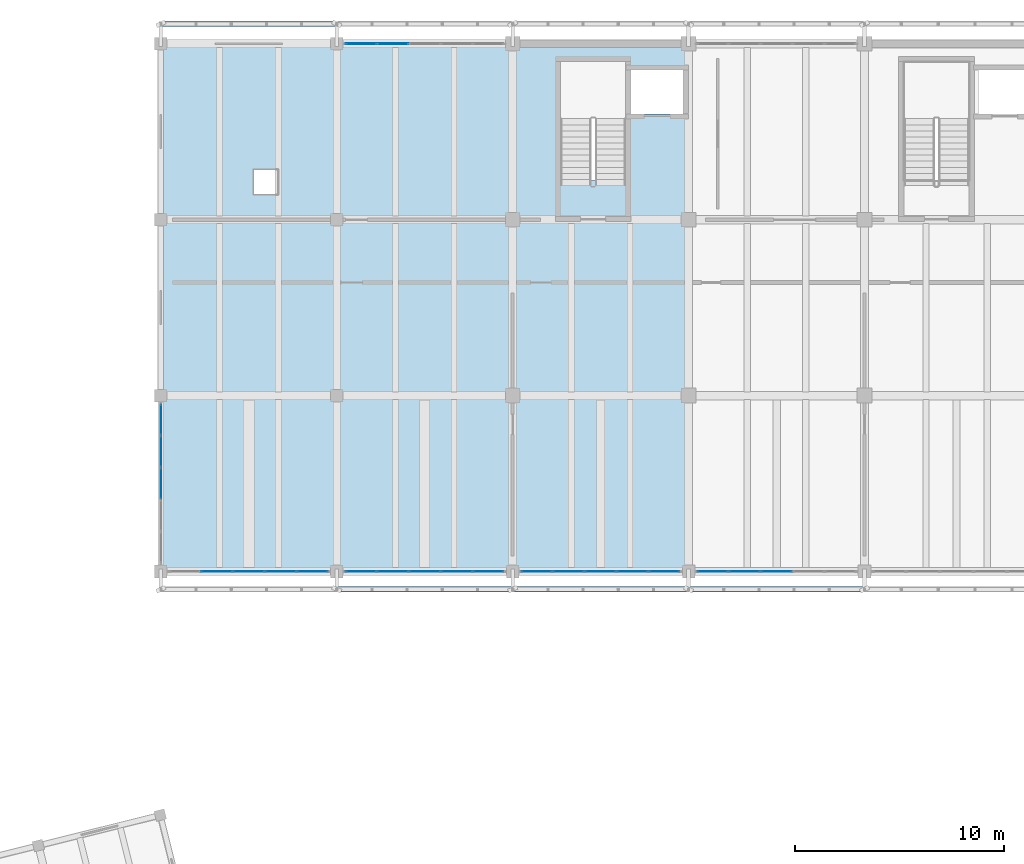
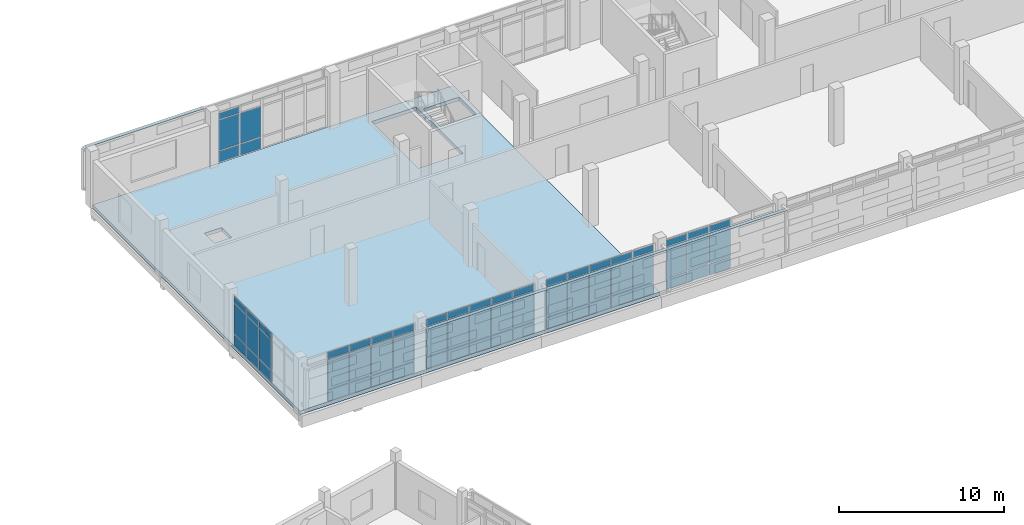
# One storey, part 99 of 137: 69 plates, 1 slab, 6 elements without a shape of their own.
"""IFC4 building model written with IfcOpenShell, lengths in metres."""

from ifc_helpers import new_model, si_unit, direction, frame, origin, origin_2d, place, context, subcontext, project, spatial, polyline, rectangle, outline, extrude, material, layer, layer_set, type_object, element, aggregate, save


model = new_model("IFC4")

# Units and contexts
model_context = context("Model", 3, precision=1e-05, world=origin(), true_north=direction((0.0, 1.0)))
body_context = subcontext(model_context, "Body", "Model", "MODEL_VIEW")
ifc_project = project(units=[si_unit("LENGTHUNIT", "METRE"), si_unit("AREAUNIT", "SQUARE_METRE"), si_unit("VOLUMEUNIT", "CUBIC_METRE"), si_unit("PLANEANGLEUNIT", "RADIAN"), si_unit("MASSUNIT", "GRAM", prefix="KILO")], contexts=[model_context])

# Site, building, storey
site_placement = place(None, origin())
site = spatial("IfcSite", under=ifc_project, at=site_placement, CompositionType="ELEMENT")
building_placement = place(site_placement, origin())
building = spatial("IfcBuilding", under=site, at=building_placement, Name="Cinderway Yard Community Centre", CompositionType="ELEMENT")
storey_placement = place(building_placement, frame((0.0, 0.0, 4.800048828125)))
storey = spatial("IfcBuildingStorey", under=building, at=storey_placement, Name="L01", CompositionType="ELEMENT", Elevation=4.800048828125)

# Curtain wall, plates
ifc_material_1 = material(Name="Aluminium 6063-T6", Category="aluminium")
curtain_wall_type = type_object("IfcCurtainWallType", Name="ENV-CW-TYPE-26", PredefinedType="USERDEFINED", material=ifc_material_1)
curtain_wall_1_placement = place(storey_placement, origin())
curtain_wall_1 = element("IfcCurtainWall", 1, at=curtain_wall_1_placement, inside=storey, type_object=curtain_wall_type, Name="V4 Courtyard Curtain Wall ENV-CW-L01-ST-0122", ObjectType="GLAZED CURTAIN WALL", PredefinedType="USERDEFINED")
ifc_material_2 = material(Name="Laminated Low-E Glass", Category="glass")
ifc_layer_1 = layer(ifc_material_2, 0.028076171875, Name="Laminated Low-E Glass")
ifc_layer_set_1 = layer_set([ifc_layer_1], Name="Laminated Low-E Glass")
plate_type_1 = type_object("IfcPlateType", Name="ENV-CW-PAN-IGU28", PredefinedType="CURTAIN_PANEL", material=ifc_layer_set_1)
plate_1_placement = place(storey_placement, frame((44.27197265625, 90.0, 0.059814453125), z_axis=(0.0, 0.0, 1.0), x_axis=(1.0, 0.0, 0.0)))
plate_1 = element("IfcPlate", 2, at=plate_1_placement, type_object=plate_type_1, Name="CW-26 panel 2.1", PredefinedType="CURTAIN_PANEL", context=body_context, shape_type="SweptSolid", body=[
    extrude(rectangle(XDim=1.468017578125, YDim=0.028076171875, at=origin_2d()), origin(), (0.0, 0.0, 1.0), 0.81005859375),
])
plate_2_placement = place(storey_placement, frame((44.27197265625, 90.0, 0.93017578125), z_axis=(0.0, 0.0, 1.0), x_axis=(1.0, 0.0, 0.0)))
plate_2 = element("IfcPlate", 3, at=plate_2_placement, type_object=plate_type_1, Name="CW-26 panel 2.2", PredefinedType="CURTAIN_PANEL", context=body_context, shape_type="SweptSolid", body=[
    extrude(rectangle(XDim=1.468017578125, YDim=0.028076171875, at=origin_2d()), origin(), (0.0, 0.0, 1.0), 2.239990234375),
])
plate_3_placement = place(storey_placement, frame((44.27197265625, 90.0, 3.22998046875), z_axis=(0.0, 0.0, 1.0), x_axis=(1.0, 0.0, 0.0)))
plate_3 = element("IfcPlate", 4, at=plate_3_placement, type_object=plate_type_1, Name="CW-26 panel 2.3", PredefinedType="CURTAIN_PANEL", context=body_context, shape_type="SweptSolid", body=[
    extrude(rectangle(XDim=1.468017578125, YDim=0.028076171875, at=origin_2d()), origin(), (0.0, 0.0, 1.0), 0.4599609375),
])
plate_4_placement = place(storey_placement, frame((45.800048828125, 90.0, 0.059814453125), z_axis=(0.0, 0.0, 1.0), x_axis=(1.0, 0.0, 0.0)))
plate_4 = element("IfcPlate", 5, at=plate_4_placement, type_object=plate_type_1, Name="CW-26 panel 3.1", PredefinedType="CURTAIN_PANEL", context=body_context, shape_type="SweptSolid", body=[
    extrude(rectangle(XDim=1.468017578125, YDim=0.028076171875, at=origin_2d()), origin(), (0.0, 0.0, 1.0), 0.81005859375),
])
plate_5_placement = place(storey_placement, frame((45.800048828125, 90.0, 0.93017578125), z_axis=(0.0, 0.0, 1.0), x_axis=(1.0, 0.0, 0.0)))
plate_5 = element("IfcPlate", 6, at=plate_5_placement, type_object=plate_type_1, Name="CW-26 panel 3.2", PredefinedType="CURTAIN_PANEL", context=body_context, shape_type="SweptSolid", body=[
    extrude(rectangle(XDim=1.468017578125, YDim=0.028076171875, at=origin_2d()), origin(), (0.0, 0.0, 1.0), 2.239990234375),
])
plate_6_placement = place(storey_placement, frame((45.800048828125, 90.0, 3.22998046875), z_axis=(0.0, 0.0, 1.0), x_axis=(1.0, 0.0, 0.0)))
plate_6 = element("IfcPlate", 7, at=plate_6_placement, type_object=plate_type_1, Name="CW-26 panel 3.3", PredefinedType="CURTAIN_PANEL", context=body_context, shape_type="SweptSolid", body=[
    extrude(rectangle(XDim=1.468017578125, YDim=0.028076171875, at=origin_2d()), origin(), (0.0, 0.0, 1.0), 0.4599609375),
])
plate_7_placement = place(storey_placement, frame((47.327880859375, 90.0, 0.059814453125), z_axis=(0.0, 0.0, 1.0), x_axis=(1.0, 0.0, 0.0)))
plate_7 = element("IfcPlate", 8, at=plate_7_placement, type_object=plate_type_1, Name="CW-26 panel 4.1", PredefinedType="CURTAIN_PANEL", context=body_context, shape_type="SweptSolid", body=[
    extrude(rectangle(XDim=1.468017578125, YDim=0.028076171875, at=origin_2d()), origin(), (0.0, 0.0, 1.0), 0.81005859375),
])
plate_8_placement = place(storey_placement, frame((47.327880859375, 90.0, 0.93017578125), z_axis=(0.0, 0.0, 1.0), x_axis=(1.0, 0.0, 0.0)))
plate_8 = element("IfcPlate", 9, at=plate_8_placement, type_object=plate_type_1, Name="CW-26 panel 4.2", PredefinedType="CURTAIN_PANEL", context=body_context, shape_type="SweptSolid", body=[
    extrude(rectangle(XDim=1.468017578125, YDim=0.028076171875, at=origin_2d()), origin(), (0.0, 0.0, 1.0), 2.239990234375),
])
plate_9_placement = place(storey_placement, frame((47.327880859375, 90.0, 3.22998046875), z_axis=(0.0, 0.0, 1.0), x_axis=(1.0, 0.0, 0.0)))
plate_9 = element("IfcPlate", 10, at=plate_9_placement, type_object=plate_type_1, Name="CW-26 panel 4.3", PredefinedType="CURTAIN_PANEL", context=body_context, shape_type="SweptSolid", body=[
    extrude(rectangle(XDim=1.468017578125, YDim=0.028076171875, at=origin_2d()), origin(), (0.0, 0.0, 1.0), 0.4599609375),
])
plate_10_placement = place(storey_placement, frame((48.841064453125, 90.0, 0.059814453125), z_axis=(0.0, 0.0, 1.0), x_axis=(1.0, 0.0, 0.0)))
plate_10 = element("IfcPlate", 11, at=plate_10_placement, type_object=plate_type_1, Name="CW-26 panel 5.1", PredefinedType="CURTAIN_PANEL", context=body_context, shape_type="SweptSolid", body=[
    extrude(rectangle(XDim=1.43798828125, YDim=0.028076171875, at=origin_2d()), origin(), (0.0, 0.0, 1.0), 0.81005859375),
])
plate_11_placement = place(storey_placement, frame((48.841064453125, 90.0, 0.93017578125), z_axis=(0.0, 0.0, 1.0), x_axis=(1.0, 0.0, 0.0)))
plate_11 = element("IfcPlate", 12, at=plate_11_placement, type_object=plate_type_1, Name="CW-26 panel 5.2", PredefinedType="CURTAIN_PANEL", context=body_context, shape_type="SweptSolid", body=[
    extrude(rectangle(XDim=1.43798828125, YDim=0.028076171875, at=origin_2d()), origin(), (0.0, 0.0, 1.0), 2.239990234375),
])
plate_12_placement = place(storey_placement, frame((48.841064453125, 90.0, 3.22998046875), z_axis=(0.0, 0.0, 1.0), x_axis=(1.0, 0.0, 0.0)))
plate_12 = element("IfcPlate", 13, at=plate_12_placement, type_object=plate_type_1, Name="CW-26 panel 5.3", PredefinedType="CURTAIN_PANEL", context=body_context, shape_type="SweptSolid", body=[
    extrude(rectangle(XDim=1.43798828125, YDim=0.028076171875, at=origin_2d()), origin(), (0.0, 0.0, 1.0), 0.4599609375),
])
aggregate(curtain_wall_1, [plate_1, plate_2, plate_3, plate_4, plate_5, plate_6, plate_7, plate_8, plate_9, plate_10, plate_11, plate_12])

curtain_wall_2_placement = place(storey_placement, origin())
curtain_wall_2 = element("IfcCurtainWall", 14, at=curtain_wall_2_placement, inside=storey, type_object=curtain_wall_type, Name="V4 Street Curtain Wall ENV-CW-L01-ST-0123", ObjectType="GLAZED CURTAIN WALL", PredefinedType="USERDEFINED")
plate_13_placement = place(storey_placement, frame((51.158935546875, 115.199951171875, 0.059814453125), z_axis=(0.0, 0.0, 1.0), x_axis=(1.0, 0.0, 0.0)))
plate_13 = element("IfcPlate", 15, at=plate_13_placement, type_object=plate_type_1, Name="CW-26 panel 1.1", PredefinedType="CURTAIN_PANEL", context=body_context, shape_type="SweptSolid", body=[
    extrude(rectangle(XDim=1.43798828125, YDim=0.028076171875, at=origin_2d()), origin(), (0.0, 0.0, 1.0), 0.81005859375),
])
plate_14_placement = place(storey_placement, frame((51.158935546875, 115.199951171875, 0.93017578125), z_axis=(0.0, 0.0, 1.0), x_axis=(1.0, 0.0, 0.0)))
plate_14 = element("IfcPlate", 16, at=plate_14_placement, type_object=plate_type_1, Name="CW-26 panel 1.2", PredefinedType="CURTAIN_PANEL", context=body_context, shape_type="SweptSolid", body=[
    extrude(rectangle(XDim=1.43798828125, YDim=0.028076171875, at=origin_2d()), origin(), (0.0, 0.0, 1.0), 2.239990234375),
])
plate_15_placement = place(storey_placement, frame((51.158935546875, 115.199951171875, 3.22998046875), z_axis=(0.0, 0.0, 1.0), x_axis=(1.0, 0.0, 0.0)))
plate_15 = element("IfcPlate", 17, at=plate_15_placement, type_object=plate_type_1, Name="CW-26 panel 1.3", PredefinedType="CURTAIN_PANEL", context=body_context, shape_type="SweptSolid", body=[
    extrude(rectangle(XDim=1.43798828125, YDim=0.028076171875, at=origin_2d()), origin(), (0.0, 0.0, 1.0), 0.4599609375),
])
plate_16_placement = place(storey_placement, frame((52.672119140625, 115.199951171875, 0.059814453125), z_axis=(0.0, 0.0, 1.0), x_axis=(1.0, 0.0, 0.0)))
plate_16 = element("IfcPlate", 18, at=plate_16_placement, type_object=plate_type_1, Name="CW-26 panel 2.1", PredefinedType="CURTAIN_PANEL", context=body_context, shape_type="SweptSolid", body=[
    extrude(rectangle(XDim=1.468017578125, YDim=0.028076171875, at=origin_2d()), origin(), (0.0, 0.0, 1.0), 0.81005859375),
])
plate_17_placement = place(storey_placement, frame((52.672119140625, 115.199951171875, 0.93017578125), z_axis=(0.0, 0.0, 1.0), x_axis=(1.0, 0.0, 0.0)))
plate_17 = element("IfcPlate", 19, at=plate_17_placement, type_object=plate_type_1, Name="CW-26 panel 2.2", PredefinedType="CURTAIN_PANEL", context=body_context, shape_type="SweptSolid", body=[
    extrude(rectangle(XDim=1.468017578125, YDim=0.028076171875, at=origin_2d()), origin(), (0.0, 0.0, 1.0), 2.239990234375),
])
aggregate(curtain_wall_2, [plate_13, plate_14, plate_15, plate_16, plate_17])

curtain_wall_3_placement = place(storey_placement, origin())
curtain_wall_3 = element("IfcCurtainWall", 20, at=curtain_wall_3_placement, inside=storey, type_object=curtain_wall_type, Name="V4 Courtyard Curtain Wall ENV-CW-L01-ST-0124", ObjectType="GLAZED CURTAIN WALL", PredefinedType="USERDEFINED")
plate_18_placement = place(storey_placement, frame((51.158935546875, 90.0, 0.059814453125), z_axis=(0.0, 0.0, 1.0), x_axis=(1.0, 0.0, 0.0)))
plate_18 = element("IfcPlate", 21, at=plate_18_placement, type_object=plate_type_1, Name="CW-26 panel 1.1", PredefinedType="CURTAIN_PANEL", context=body_context, shape_type="SweptSolid", body=[
    extrude(rectangle(XDim=1.43798828125, YDim=0.028076171875, at=origin_2d()), origin(), (0.0, 0.0, 1.0), 0.81005859375),
])
plate_19_placement = place(storey_placement, frame((51.158935546875, 90.0, 0.93017578125), z_axis=(0.0, 0.0, 1.0), x_axis=(1.0, 0.0, 0.0)))
plate_19 = element("IfcPlate", 22, at=plate_19_placement, type_object=plate_type_1, Name="CW-26 panel 1.2", PredefinedType="CURTAIN_PANEL", context=body_context, shape_type="SweptSolid", body=[
    extrude(rectangle(XDim=1.43798828125, YDim=0.028076171875, at=origin_2d()), origin(), (0.0, 0.0, 1.0), 2.239990234375),
])
plate_20_placement = place(storey_placement, frame((51.158935546875, 90.0, 3.22998046875), z_axis=(0.0, 0.0, 1.0), x_axis=(1.0, 0.0, 0.0)))
plate_20 = element("IfcPlate", 23, at=plate_20_placement, type_object=plate_type_1, Name="CW-26 panel 1.3", PredefinedType="CURTAIN_PANEL", context=body_context, shape_type="SweptSolid", body=[
    extrude(rectangle(XDim=1.43798828125, YDim=0.028076171875, at=origin_2d()), origin(), (0.0, 0.0, 1.0), 0.4599609375),
])
plate_21_placement = place(storey_placement, frame((52.672119140625, 90.0, 0.059814453125), z_axis=(0.0, 0.0, 1.0), x_axis=(1.0, 0.0, 0.0)))
plate_21 = element("IfcPlate", 24, at=plate_21_placement, type_object=plate_type_1, Name="CW-26 panel 2.1", PredefinedType="CURTAIN_PANEL", context=body_context, shape_type="SweptSolid", body=[
    extrude(rectangle(XDim=1.468017578125, YDim=0.028076171875, at=origin_2d()), origin(), (0.0, 0.0, 1.0), 0.81005859375),
])
plate_22_placement = place(storey_placement, frame((52.672119140625, 90.0, 0.93017578125), z_axis=(0.0, 0.0, 1.0), x_axis=(1.0, 0.0, 0.0)))
plate_22 = element("IfcPlate", 25, at=plate_22_placement, type_object=plate_type_1, Name="CW-26 panel 2.2", PredefinedType="CURTAIN_PANEL", context=body_context, shape_type="SweptSolid", body=[
    extrude(rectangle(XDim=1.468017578125, YDim=0.028076171875, at=origin_2d()), origin(), (0.0, 0.0, 1.0), 2.239990234375),
])
plate_23_placement = place(storey_placement, frame((52.672119140625, 90.0, 3.22998046875), z_axis=(0.0, 0.0, 1.0), x_axis=(1.0, 0.0, 0.0)))
plate_23 = element("IfcPlate", 26, at=plate_23_placement, type_object=plate_type_1, Name="CW-26 panel 2.3", PredefinedType="CURTAIN_PANEL", context=body_context, shape_type="SweptSolid", body=[
    extrude(rectangle(XDim=1.468017578125, YDim=0.028076171875, at=origin_2d()), origin(), (0.0, 0.0, 1.0), 0.4599609375),
])
plate_24_placement = place(storey_placement, frame((54.199951171875, 90.0, 0.059814453125), z_axis=(0.0, 0.0, 1.0), x_axis=(1.0, 0.0, 0.0)))
plate_24 = element("IfcPlate", 27, at=plate_24_placement, type_object=plate_type_1, Name="CW-26 panel 3.1", PredefinedType="CURTAIN_PANEL", context=body_context, shape_type="SweptSolid", body=[
    extrude(rectangle(XDim=1.468017578125, YDim=0.028076171875, at=origin_2d()), origin(), (0.0, 0.0, 1.0), 0.81005859375),
])
plate_25_placement = place(storey_placement, frame((54.199951171875, 90.0, 0.93017578125), z_axis=(0.0, 0.0, 1.0), x_axis=(1.0, 0.0, 0.0)))
plate_25 = element("IfcPlate", 28, at=plate_25_placement, type_object=plate_type_1, Name="CW-26 panel 3.2", PredefinedType="CURTAIN_PANEL", context=body_context, shape_type="SweptSolid", body=[
    extrude(rectangle(XDim=1.468017578125, YDim=0.028076171875, at=origin_2d()), origin(), (0.0, 0.0, 1.0), 2.239990234375),
])
plate_26_placement = place(storey_placement, frame((54.199951171875, 90.0, 3.22998046875), z_axis=(0.0, 0.0, 1.0), x_axis=(1.0, 0.0, 0.0)))
plate_26 = element("IfcPlate", 29, at=plate_26_placement, type_object=plate_type_1, Name="CW-26 panel 3.3", PredefinedType="CURTAIN_PANEL", context=body_context, shape_type="SweptSolid", body=[
    extrude(rectangle(XDim=1.468017578125, YDim=0.028076171875, at=origin_2d()), origin(), (0.0, 0.0, 1.0), 0.4599609375),
])
plate_27_placement = place(storey_placement, frame((55.72802734375, 90.0, 0.059814453125), z_axis=(0.0, 0.0, 1.0), x_axis=(1.0, 0.0, 0.0)))
plate_27 = element("IfcPlate", 30, at=plate_27_placement, type_object=plate_type_1, Name="CW-26 panel 4.1", PredefinedType="CURTAIN_PANEL", context=body_context, shape_type="SweptSolid", body=[
    extrude(rectangle(XDim=1.468017578125, YDim=0.028076171875, at=origin_2d()), origin(), (0.0, 0.0, 1.0), 0.81005859375),
])
plate_28_placement = place(storey_placement, frame((55.72802734375, 90.0, 0.93017578125), z_axis=(0.0, 0.0, 1.0), x_axis=(1.0, 0.0, 0.0)))
plate_28 = element("IfcPlate", 31, at=plate_28_placement, type_object=plate_type_1, Name="CW-26 panel 4.2", PredefinedType="CURTAIN_PANEL", context=body_context, shape_type="SweptSolid", body=[
    extrude(rectangle(XDim=1.468017578125, YDim=0.028076171875, at=origin_2d()), origin(), (0.0, 0.0, 1.0), 2.239990234375),
])
plate_29_placement = place(storey_placement, frame((55.72802734375, 90.0, 3.22998046875), z_axis=(0.0, 0.0, 1.0), x_axis=(1.0, 0.0, 0.0)))
plate_29 = element("IfcPlate", 32, at=plate_29_placement, type_object=plate_type_1, Name="CW-26 panel 4.3", PredefinedType="CURTAIN_PANEL", context=body_context, shape_type="SweptSolid", body=[
    extrude(rectangle(XDim=1.468017578125, YDim=0.028076171875, at=origin_2d()), origin(), (0.0, 0.0, 1.0), 0.4599609375),
])
plate_30_placement = place(storey_placement, frame((57.240966796875, 90.0, 0.059814453125), z_axis=(0.0, 0.0, 1.0), x_axis=(1.0, 0.0, 0.0)))
plate_30 = element("IfcPlate", 33, at=plate_30_placement, type_object=plate_type_1, Name="CW-26 panel 5.1", PredefinedType="CURTAIN_PANEL", context=body_context, shape_type="SweptSolid", body=[
    extrude(rectangle(XDim=1.43798828125, YDim=0.028076171875, at=origin_2d()), origin(), (0.0, 0.0, 1.0), 0.81005859375),
])
plate_31_placement = place(storey_placement, frame((57.240966796875, 90.0, 0.93017578125), z_axis=(0.0, 0.0, 1.0), x_axis=(1.0, 0.0, 0.0)))
plate_31 = element("IfcPlate", 34, at=plate_31_placement, type_object=plate_type_1, Name="CW-26 panel 5.2", PredefinedType="CURTAIN_PANEL", context=body_context, shape_type="SweptSolid", body=[
    extrude(rectangle(XDim=1.43798828125, YDim=0.028076171875, at=origin_2d()), origin(), (0.0, 0.0, 1.0), 2.239990234375),
])
plate_32_placement = place(storey_placement, frame((57.240966796875, 90.0, 3.22998046875), z_axis=(0.0, 0.0, 1.0), x_axis=(1.0, 0.0, 0.0)))
plate_32 = element("IfcPlate", 35, at=plate_32_placement, type_object=plate_type_1, Name="CW-26 panel 5.3", PredefinedType="CURTAIN_PANEL", context=body_context, shape_type="SweptSolid", body=[
    extrude(rectangle(XDim=1.43798828125, YDim=0.028076171875, at=origin_2d()), origin(), (0.0, 0.0, 1.0), 0.4599609375),
])
aggregate(curtain_wall_3, [plate_18, plate_19, plate_20, plate_21, plate_22, plate_23, plate_24, plate_25, plate_26, plate_27, plate_28, plate_29, plate_30, plate_31, plate_32])

curtain_wall_4_placement = place(storey_placement, origin())
curtain_wall_4 = element("IfcCurtainWall", 36, at=curtain_wall_4_placement, inside=storey, type_object=curtain_wall_type, Name="V4 Courtyard Curtain Wall ENV-CW-L01-ST-0125", ObjectType="GLAZED CURTAIN WALL", PredefinedType="USERDEFINED")
plate_33_placement = place(storey_placement, frame((59.55908203125, 90.0, 0.059814453125), z_axis=(0.0, 0.0, 1.0), x_axis=(1.0, 0.0, 0.0)))
plate_33 = element("IfcPlate", 37, at=plate_33_placement, type_object=plate_type_1, Name="CW-26 panel 1.1", PredefinedType="CURTAIN_PANEL", context=body_context, shape_type="SweptSolid", body=[
    extrude(rectangle(XDim=1.43798828125, YDim=0.028076171875, at=origin_2d()), origin(), (0.0, 0.0, 1.0), 0.81005859375),
])
plate_34_placement = place(storey_placement, frame((59.55908203125, 90.0, 0.93017578125), z_axis=(0.0, 0.0, 1.0), x_axis=(1.0, 0.0, 0.0)))
plate_34 = element("IfcPlate", 38, at=plate_34_placement, type_object=plate_type_1, Name="CW-26 panel 1.2", PredefinedType="CURTAIN_PANEL", context=body_context, shape_type="SweptSolid", body=[
    extrude(rectangle(XDim=1.43798828125, YDim=0.028076171875, at=origin_2d()), origin(), (0.0, 0.0, 1.0), 2.239990234375),
])
plate_35_placement = place(storey_placement, frame((59.55908203125, 90.0, 3.22998046875), z_axis=(0.0, 0.0, 1.0), x_axis=(1.0, 0.0, 0.0)))
plate_35 = element("IfcPlate", 39, at=plate_35_placement, type_object=plate_type_1, Name="CW-26 panel 1.3", PredefinedType="CURTAIN_PANEL", context=body_context, shape_type="SweptSolid", body=[
    extrude(rectangle(XDim=1.43798828125, YDim=0.028076171875, at=origin_2d()), origin(), (0.0, 0.0, 1.0), 0.4599609375),
])
plate_36_placement = place(storey_placement, frame((61.072021484375, 90.0, 0.059814453125), z_axis=(0.0, 0.0, 1.0), x_axis=(1.0, 0.0, 0.0)))
plate_36 = element("IfcPlate", 40, at=plate_36_placement, type_object=plate_type_1, Name="CW-26 panel 2.1", PredefinedType="CURTAIN_PANEL", context=body_context, shape_type="SweptSolid", body=[
    extrude(rectangle(XDim=1.468017578125, YDim=0.028076171875, at=origin_2d()), origin(), (0.0, 0.0, 1.0), 0.81005859375),
])
plate_37_placement = place(storey_placement, frame((61.072021484375, 90.0, 0.93017578125), z_axis=(0.0, 0.0, 1.0), x_axis=(1.0, 0.0, 0.0)))
plate_37 = element("IfcPlate", 41, at=plate_37_placement, type_object=plate_type_1, Name="CW-26 panel 2.2", PredefinedType="CURTAIN_PANEL", context=body_context, shape_type="SweptSolid", body=[
    extrude(rectangle(XDim=1.468017578125, YDim=0.028076171875, at=origin_2d()), origin(), (0.0, 0.0, 1.0), 2.239990234375),
])
plate_38_placement = place(storey_placement, frame((61.072021484375, 90.0, 3.22998046875), z_axis=(0.0, 0.0, 1.0), x_axis=(1.0, 0.0, 0.0)))
plate_38 = element("IfcPlate", 42, at=plate_38_placement, type_object=plate_type_1, Name="CW-26 panel 2.3", PredefinedType="CURTAIN_PANEL", context=body_context, shape_type="SweptSolid", body=[
    extrude(rectangle(XDim=1.468017578125, YDim=0.028076171875, at=origin_2d()), origin(), (0.0, 0.0, 1.0), 0.4599609375),
])
plate_39_placement = place(storey_placement, frame((62.60009765625, 90.0, 0.059814453125), z_axis=(0.0, 0.0, 1.0), x_axis=(1.0, 0.0, 0.0)))
plate_39 = element("IfcPlate", 43, at=plate_39_placement, type_object=plate_type_1, Name="CW-26 panel 3.1", PredefinedType="CURTAIN_PANEL", context=body_context, shape_type="SweptSolid", body=[
    extrude(rectangle(XDim=1.468017578125, YDim=0.028076171875, at=origin_2d()), origin(), (0.0, 0.0, 1.0), 0.81005859375),
])
plate_40_placement = place(storey_placement, frame((62.60009765625, 90.0, 0.93017578125), z_axis=(0.0, 0.0, 1.0), x_axis=(1.0, 0.0, 0.0)))
plate_40 = element("IfcPlate", 44, at=plate_40_placement, type_object=plate_type_1, Name="CW-26 panel 3.2", PredefinedType="CURTAIN_PANEL", context=body_context, shape_type="SweptSolid", body=[
    extrude(rectangle(XDim=1.468017578125, YDim=0.028076171875, at=origin_2d()), origin(), (0.0, 0.0, 1.0), 2.239990234375),
])
plate_41_placement = place(storey_placement, frame((62.60009765625, 90.0, 3.22998046875), z_axis=(0.0, 0.0, 1.0), x_axis=(1.0, 0.0, 0.0)))
plate_41 = element("IfcPlate", 45, at=plate_41_placement, type_object=plate_type_1, Name="CW-26 panel 3.3", PredefinedType="CURTAIN_PANEL", context=body_context, shape_type="SweptSolid", body=[
    extrude(rectangle(XDim=1.468017578125, YDim=0.028076171875, at=origin_2d()), origin(), (0.0, 0.0, 1.0), 0.4599609375),
])
plate_42_placement = place(storey_placement, frame((64.1279296875, 90.0, 0.059814453125), z_axis=(0.0, 0.0, 1.0), x_axis=(1.0, 0.0, 0.0)))
plate_42 = element("IfcPlate", 46, at=plate_42_placement, type_object=plate_type_1, Name="CW-26 panel 4.1", PredefinedType="CURTAIN_PANEL", context=body_context, shape_type="SweptSolid", body=[
    extrude(rectangle(XDim=1.468017578125, YDim=0.028076171875, at=origin_2d()), origin(), (0.0, 0.0, 1.0), 0.81005859375),
])
plate_43_placement = place(storey_placement, frame((64.1279296875, 90.0, 0.93017578125), z_axis=(0.0, 0.0, 1.0), x_axis=(1.0, 0.0, 0.0)))
plate_43 = element("IfcPlate", 47, at=plate_43_placement, type_object=plate_type_1, Name="CW-26 panel 4.2", PredefinedType="CURTAIN_PANEL", context=body_context, shape_type="SweptSolid", body=[
    extrude(rectangle(XDim=1.468017578125, YDim=0.028076171875, at=origin_2d()), origin(), (0.0, 0.0, 1.0), 2.239990234375),
])
plate_44_placement = place(storey_placement, frame((64.1279296875, 90.0, 3.22998046875), z_axis=(0.0, 0.0, 1.0), x_axis=(1.0, 0.0, 0.0)))
plate_44 = element("IfcPlate", 48, at=plate_44_placement, type_object=plate_type_1, Name="CW-26 panel 4.3", PredefinedType="CURTAIN_PANEL", context=body_context, shape_type="SweptSolid", body=[
    extrude(rectangle(XDim=1.468017578125, YDim=0.028076171875, at=origin_2d()), origin(), (0.0, 0.0, 1.0), 0.4599609375),
])
plate_45_placement = place(storey_placement, frame((65.64111328125, 90.0, 0.059814453125), z_axis=(0.0, 0.0, 1.0), x_axis=(1.0, 0.0, 0.0)))
plate_45 = element("IfcPlate", 49, at=plate_45_placement, type_object=plate_type_1, Name="CW-26 panel 5.1", PredefinedType="CURTAIN_PANEL", context=body_context, shape_type="SweptSolid", body=[
    extrude(rectangle(XDim=1.43798828125, YDim=0.028076171875, at=origin_2d()), origin(), (0.0, 0.0, 1.0), 0.81005859375),
])
plate_46_placement = place(storey_placement, frame((65.64111328125, 90.0, 0.93017578125), z_axis=(0.0, 0.0, 1.0), x_axis=(1.0, 0.0, 0.0)))
plate_46 = element("IfcPlate", 50, at=plate_46_placement, type_object=plate_type_1, Name="CW-26 panel 5.2", PredefinedType="CURTAIN_PANEL", context=body_context, shape_type="SweptSolid", body=[
    extrude(rectangle(XDim=1.43798828125, YDim=0.028076171875, at=origin_2d()), origin(), (0.0, 0.0, 1.0), 2.239990234375),
])
plate_47_placement = place(storey_placement, frame((65.64111328125, 90.0, 3.22998046875), z_axis=(0.0, 0.0, 1.0), x_axis=(1.0, 0.0, 0.0)))
plate_47 = element("IfcPlate", 51, at=plate_47_placement, type_object=plate_type_1, Name="CW-26 panel 5.3", PredefinedType="CURTAIN_PANEL", context=body_context, shape_type="SweptSolid", body=[
    extrude(rectangle(XDim=1.43798828125, YDim=0.028076171875, at=origin_2d()), origin(), (0.0, 0.0, 1.0), 0.4599609375),
])
aggregate(curtain_wall_4, [plate_33, plate_34, plate_35, plate_36, plate_37, plate_38, plate_39, plate_40, plate_41, plate_42, plate_43, plate_44, plate_45, plate_46, plate_47])

curtain_wall_5_placement = place(storey_placement, origin())
curtain_wall_5 = element("IfcCurtainWall", 52, at=curtain_wall_5_placement, inside=storey, type_object=curtain_wall_type, Name="V4 Courtyard Curtain Wall ENV-CW-L01-ST-0127", ObjectType="GLAZED CURTAIN WALL", PredefinedType="USERDEFINED")
plate_48_placement = place(storey_placement, frame((67.958984375, 90.0, 0.059814453125), z_axis=(0.0, 0.0, 1.0), x_axis=(1.0, 0.0, 0.0)))
plate_48 = element("IfcPlate", 53, at=plate_48_placement, type_object=plate_type_1, Name="CW-26 panel 1.1", PredefinedType="CURTAIN_PANEL", context=body_context, shape_type="SweptSolid", body=[
    extrude(rectangle(XDim=1.43798828125, YDim=0.028076171875, at=origin_2d()), origin(), (0.0, 0.0, 1.0), 0.81005859375),
])
plate_49_placement = place(storey_placement, frame((67.958984375, 90.0, 0.93017578125), z_axis=(0.0, 0.0, 1.0), x_axis=(1.0, 0.0, 0.0)))
plate_49 = element("IfcPlate", 54, at=plate_49_placement, type_object=plate_type_1, Name="CW-26 panel 1.2", PredefinedType="CURTAIN_PANEL", context=body_context, shape_type="SweptSolid", body=[
    extrude(rectangle(XDim=1.43798828125, YDim=0.028076171875, at=origin_2d()), origin(), (0.0, 0.0, 1.0), 2.239990234375),
])
plate_50_placement = place(storey_placement, frame((67.958984375, 90.0, 3.22998046875), z_axis=(0.0, 0.0, 1.0), x_axis=(1.0, 0.0, 0.0)))
plate_50 = element("IfcPlate", 55, at=plate_50_placement, type_object=plate_type_1, Name="CW-26 panel 1.3", PredefinedType="CURTAIN_PANEL", context=body_context, shape_type="SweptSolid", body=[
    extrude(rectangle(XDim=1.43798828125, YDim=0.028076171875, at=origin_2d()), origin(), (0.0, 0.0, 1.0), 0.4599609375),
])
plate_51_placement = place(storey_placement, frame((69.471923828125, 90.0, 0.059814453125), z_axis=(0.0, 0.0, 1.0), x_axis=(1.0, 0.0, 0.0)))
plate_51 = element("IfcPlate", 56, at=plate_51_placement, type_object=plate_type_1, Name="CW-26 panel 2.1", PredefinedType="CURTAIN_PANEL", context=body_context, shape_type="SweptSolid", body=[
    extrude(rectangle(XDim=1.468017578125, YDim=0.028076171875, at=origin_2d()), origin(), (0.0, 0.0, 1.0), 0.81005859375),
])
plate_52_placement = place(storey_placement, frame((69.471923828125, 90.0, 0.93017578125), z_axis=(0.0, 0.0, 1.0), x_axis=(1.0, 0.0, 0.0)))
plate_52 = element("IfcPlate", 57, at=plate_52_placement, type_object=plate_type_1, Name="CW-26 panel 2.2", PredefinedType="CURTAIN_PANEL", context=body_context, shape_type="SweptSolid", body=[
    extrude(rectangle(XDim=1.468017578125, YDim=0.028076171875, at=origin_2d()), origin(), (0.0, 0.0, 1.0), 2.239990234375),
])
plate_53_placement = place(storey_placement, frame((69.471923828125, 90.0, 3.22998046875), z_axis=(0.0, 0.0, 1.0), x_axis=(1.0, 0.0, 0.0)))
plate_53 = element("IfcPlate", 58, at=plate_53_placement, type_object=plate_type_1, Name="CW-26 panel 2.3", PredefinedType="CURTAIN_PANEL", context=body_context, shape_type="SweptSolid", body=[
    extrude(rectangle(XDim=1.468017578125, YDim=0.028076171875, at=origin_2d()), origin(), (0.0, 0.0, 1.0), 0.4599609375),
])
plate_54_placement = place(storey_placement, frame((71.0, 90.0, 0.059814453125), z_axis=(0.0, 0.0, 1.0), x_axis=(1.0, 0.0, 0.0)))
plate_54 = element("IfcPlate", 59, at=plate_54_placement, type_object=plate_type_1, Name="CW-26 panel 3.1", PredefinedType="CURTAIN_PANEL", context=body_context, shape_type="SweptSolid", body=[
    extrude(rectangle(XDim=1.468017578125, YDim=0.028076171875, at=origin_2d()), origin(), (0.0, 0.0, 1.0), 0.81005859375),
])
plate_55_placement = place(storey_placement, frame((71.0, 90.0, 0.93017578125), z_axis=(0.0, 0.0, 1.0), x_axis=(1.0, 0.0, 0.0)))
plate_55 = element("IfcPlate", 60, at=plate_55_placement, type_object=plate_type_1, Name="CW-26 panel 3.2", PredefinedType="CURTAIN_PANEL", context=body_context, shape_type="SweptSolid", body=[
    extrude(rectangle(XDim=1.468017578125, YDim=0.028076171875, at=origin_2d()), origin(), (0.0, 0.0, 1.0), 2.239990234375),
])
plate_56_placement = place(storey_placement, frame((71.0, 90.0, 3.22998046875), z_axis=(0.0, 0.0, 1.0), x_axis=(1.0, 0.0, 0.0)))
plate_56 = element("IfcPlate", 61, at=plate_56_placement, type_object=plate_type_1, Name="CW-26 panel 3.3", PredefinedType="CURTAIN_PANEL", context=body_context, shape_type="SweptSolid", body=[
    extrude(rectangle(XDim=1.468017578125, YDim=0.028076171875, at=origin_2d()), origin(), (0.0, 0.0, 1.0), 0.4599609375),
])
aggregate(curtain_wall_5, [plate_48, plate_49, plate_50, plate_51, plate_52, plate_53, plate_54, plate_55, plate_56])

curtain_wall_6_placement = place(storey_placement, origin())
curtain_wall_6 = element("IfcCurtainWall", 62, at=curtain_wall_6_placement, inside=storey, type_object=curtain_wall_type, Name="V4 West End Curtain Wall ENV-CW-L01-ST-0140", ObjectType="GLAZED CURTAIN WALL", PredefinedType="USERDEFINED")
plate_57_placement = place(storey_placement, frame((41.60009765625, 94.199951171875, 0.059814453125), z_axis=(0.0, 0.0, 1.0), x_axis=(0.0, 1.0, 0.0)))
plate_57 = element("IfcPlate", 63, at=plate_57_placement, type_object=plate_type_1, Name="CW-26 panel 3.1", PredefinedType="CURTAIN_PANEL", context=body_context, shape_type="SweptSolid", body=[
    extrude(rectangle(XDim=1.468017578125, YDim=0.028076171875, at=origin_2d()), origin(), (0.0, 0.0, 1.0), 0.81005859375),
])
plate_58_placement = place(storey_placement, frame((41.60009765625, 94.199951171875, 0.93017578125), z_axis=(0.0, 0.0, 1.0), x_axis=(0.0, 1.0, 0.0)))
plate_58 = element("IfcPlate", 64, at=plate_58_placement, type_object=plate_type_1, Name="CW-26 panel 3.2", PredefinedType="CURTAIN_PANEL", context=body_context, shape_type="SweptSolid", body=[
    extrude(rectangle(XDim=1.468017578125, YDim=0.028076171875, at=origin_2d()), origin(), (0.0, 0.0, 1.0), 2.239990234375),
])
plate_59_placement = place(storey_placement, frame((41.60009765625, 94.199951171875, 3.22998046875), z_axis=(0.0, 0.0, 1.0), x_axis=(0.0, 1.0, 0.0)))
plate_59 = element("IfcPlate", 65, at=plate_59_placement, type_object=plate_type_1, Name="CW-26 panel 3.3", PredefinedType="CURTAIN_PANEL", context=body_context, shape_type="SweptSolid", body=[
    extrude(rectangle(XDim=1.468017578125, YDim=0.028076171875, at=origin_2d()), origin(), (0.0, 0.0, 1.0), 0.4599609375),
])
plate_60_placement = place(storey_placement, frame((41.60009765625, 95.72802734375, 0.059814453125), z_axis=(0.0, 0.0, 1.0), x_axis=(0.0, 1.0, 0.0)))
plate_60 = element("IfcPlate", 66, at=plate_60_placement, type_object=plate_type_1, Name="CW-26 panel 4.1", PredefinedType="CURTAIN_PANEL", context=body_context, shape_type="SweptSolid", body=[
    extrude(rectangle(XDim=1.468017578125, YDim=0.028076171875, at=origin_2d()), origin(), (0.0, 0.0, 1.0), 0.81005859375),
])
plate_61_placement = place(storey_placement, frame((41.60009765625, 95.72802734375, 0.93017578125), z_axis=(0.0, 0.0, 1.0), x_axis=(0.0, 1.0, 0.0)))
plate_61 = element("IfcPlate", 67, at=plate_61_placement, type_object=plate_type_1, Name="CW-26 panel 4.2", PredefinedType="CURTAIN_PANEL", context=body_context, shape_type="SweptSolid", body=[
    extrude(rectangle(XDim=1.468017578125, YDim=0.028076171875, at=origin_2d()), origin(), (0.0, 0.0, 1.0), 2.239990234375),
])
plate_62_placement = place(storey_placement, frame((41.60009765625, 95.72802734375, 3.22998046875), z_axis=(0.0, 0.0, 1.0), x_axis=(0.0, 1.0, 0.0)))
plate_62 = element("IfcPlate", 68, at=plate_62_placement, type_object=plate_type_1, Name="CW-26 panel 4.3", PredefinedType="CURTAIN_PANEL", context=body_context, shape_type="SweptSolid", body=[
    extrude(rectangle(XDim=1.468017578125, YDim=0.028076171875, at=origin_2d()), origin(), (0.0, 0.0, 1.0), 0.4599609375),
])
plate_63_placement = place(storey_placement, frame((41.60009765625, 97.240966796875, 0.059814453125), z_axis=(0.0, 0.0, 1.0), x_axis=(0.0, 1.0, 0.0)))
plate_63 = element("IfcPlate", 69, at=plate_63_placement, type_object=plate_type_1, Name="CW-26 panel 5.1", PredefinedType="CURTAIN_PANEL", context=body_context, shape_type="SweptSolid", body=[
    extrude(rectangle(XDim=1.43798828125, YDim=0.028076171875, at=origin_2d()), origin(), (0.0, 0.0, 1.0), 0.81005859375),
])
plate_64_placement = place(storey_placement, frame((41.60009765625, 97.240966796875, 0.93017578125), z_axis=(0.0, 0.0, 1.0), x_axis=(0.0, 1.0, 0.0)))
plate_64 = element("IfcPlate", 70, at=plate_64_placement, type_object=plate_type_1, Name="CW-26 panel 5.2", PredefinedType="CURTAIN_PANEL", context=body_context, shape_type="SweptSolid", body=[
    extrude(rectangle(XDim=1.43798828125, YDim=0.028076171875, at=origin_2d()), origin(), (0.0, 0.0, 1.0), 2.239990234375),
])
plate_65_placement = place(storey_placement, frame((41.60009765625, 97.240966796875, 3.22998046875), z_axis=(0.0, 0.0, 1.0), x_axis=(0.0, 1.0, 0.0)))
plate_65 = element("IfcPlate", 71, at=plate_65_placement, type_object=plate_type_1, Name="CW-26 panel 5.3", PredefinedType="CURTAIN_PANEL", context=body_context, shape_type="SweptSolid", body=[
    extrude(rectangle(XDim=1.43798828125, YDim=0.028076171875, at=origin_2d()), origin(), (0.0, 0.0, 1.0), 0.4599609375),
])
aggregate(curtain_wall_6, [plate_57, plate_58, plate_59, plate_60, plate_61, plate_62, plate_63, plate_64, plate_65])

# Plates
ifc_layer_2 = layer(ifc_material_1, 0.01611328125, Name="Aluminium 6063-T6")
ifc_layer_set_2 = layer_set([ifc_layer_2], Name="Aluminium 6063-T6")
plate_type_2 = type_object("IfcPlateType", Name="ENV-PLT-FASCIA16", PredefinedType="USERDEFINED", material=ifc_layer_set_2)
for number, where, z_axis, x_axis, name in (
    (72, (45.800048828125, 116.14990234375, 3.7119140625), (0.0, 0.0, 1.0), (1.0, 0.0, 0.0), "Screen coping fascia 0001"),
    (73, (54.199951171875, 89.14990234375, 3.7119140625), (0.0, 0.0, 1.0), (-1.0, 0.0, 0.0), "Screen coping fascia 0041"),
    (74, (62.60009765625, 89.14990234375, 3.7119140625), (0.0, 0.0, 1.0), (-1.0, 0.0, 0.0), "Screen coping fascia 0042"),
    (75, (71.0, 89.14990234375, 3.7119140625), (0.0, 0.0, 1.0), (-1.0, 0.0, 0.0), "Screen coping fascia 0043"),
):
    element("IfcPlate", number, at=place(storey_placement, frame(where, z_axis=z_axis, x_axis=x_axis)), inside=storey, type_object=plate_type_2, Name=name, ObjectType="FASCIA PLATE", PredefinedType="USERDEFINED", context=body_context, shape_type="SweptSolid", body=[
        extrude(rectangle(XDim=8.300048828125, YDim=0.260009765625, at=origin_2d()), origin(), (0.0, 0.0, 1.0), 0.01611328125),
    ])

# Slab
ifc_material_3 = material(Name="Concrete C40/50", Category="concrete")
ifc_layer_3 = layer(ifc_material_3, 0.260009765625, Name="Concrete C40/50")
ifc_layer_set_3 = layer_set([ifc_layer_3], Name="Concrete C40/50")
slab_type = type_object("IfcSlabType", Name="STR-SLAB-FLR-260", PredefinedType="FLOOR", material=ifc_layer_set_3)
slab_placement = place(storey_placement, frame((0.0, 0.0, -0.260009765625)))
element("IfcSlab", 76, at=slab_placement, inside=storey, type_object=slab_type, Name="V4 West A Classrooms Slab L01 STR-SLAB-L01-017", PredefinedType="FLOOR", context=body_context, shape_type="SweptSolid", body=[
    extrude(outline(polyline([(41.60009765625, 90.0), (66.800048828125, 90.0), (66.800048828125, 115.199951171875), (41.60009765625, 115.199951171875), (41.60009765625, 90.0)]), holes=[polyline([(63.800048828125, 108.669921875), (63.800048828125, 114.35009765625), (60.679931640625, 114.35009765625), (60.679931640625, 108.669921875), (63.800048828125, 108.669921875)]), polyline([(64.050048828125, 111.85009765625), (66.550048828125, 111.85009765625), (66.550048828125, 113.949951171875), (64.050048828125, 113.949951171875), (64.050048828125, 111.85009765625)]), polyline([(46.0, 108.0), (47.199951171875, 108.0), (47.199951171875, 109.199951171875), (46.0, 109.199951171875), (46.0, 108.0)])]), origin(), (0.0, 0.0, 1.0), 0.260009765625),
])

save(model, "model.ifc")
